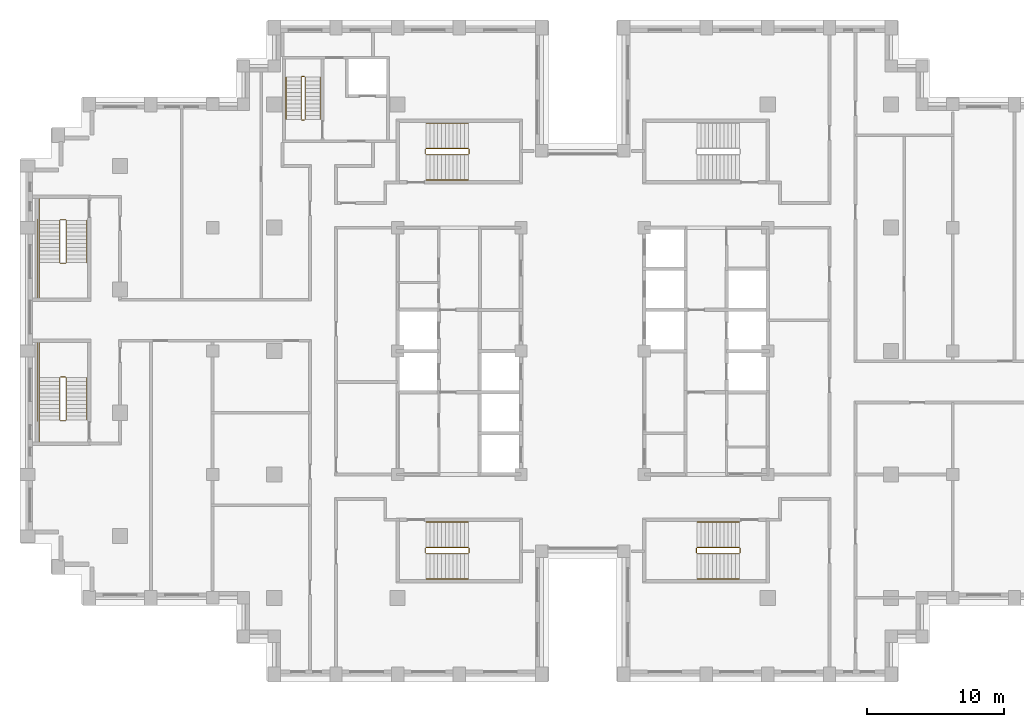
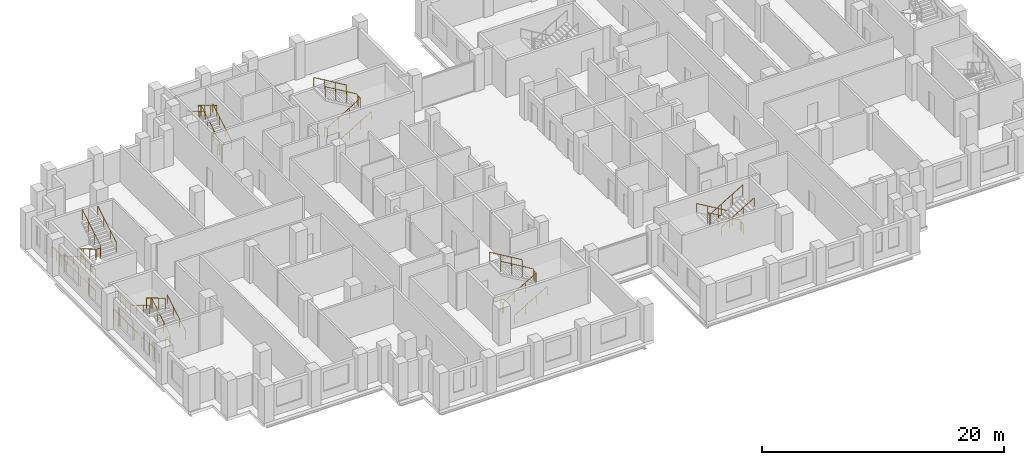
# One storey, part 15 of 16: 6 railings.
"""IFC4 building model written with IfcOpenShell, lengths in metres."""

from ifc_helpers import new_model, si_unit, direction, frame, origin, origin_2d, place, context, subcontext, project, spatial, circle, extrude, material, type_object, element, save


model = new_model("IFC4")

# Units and contexts
model_context = context("Model", 3, precision=1e-05, world=origin(), true_north=direction((0.0, 1.0)))
body_context = subcontext(model_context, "Body", "Model", "MODEL_VIEW")
ifc_project = project(units=[si_unit("LENGTHUNIT", "METRE"), si_unit("AREAUNIT", "SQUARE_METRE"), si_unit("VOLUMEUNIT", "CUBIC_METRE"), si_unit("PLANEANGLEUNIT", "RADIAN"), si_unit("MASSUNIT", "GRAM", prefix="KILO")], contexts=[model_context])

# Site, building, storey
site_placement = place(None, origin())
site = spatial("IfcSite", under=ifc_project, at=site_placement, CompositionType="ELEMENT")
building_placement = place(site_placement, origin())
building = spatial("IfcBuilding", under=site, at=building_placement, Name="Corbelhall Arena Tower", CompositionType="ELEMENT")
storey_placement = place(building_placement, frame((0.0, 0.0, 154.0)))
storey = spatial("IfcBuildingStorey", under=building, at=storey_placement, Name="L30", CompositionType="ELEMENT", Elevation=154.0)

# Railings
ifc_material = material(Name="Steel ASTM A500 Gr C", Category="steel")
railing_type = type_object("IfcRailingType", Name="IN-GD-1100", PredefinedType="GUARDRAIL", material=ifc_material)
railing_1_placement = place(storey_placement, frame((-11.425048828125, 14.324951171875, 0.166748046875)))
element("IfcRailing", 1, at=railing_1_placement, inside=storey, type_object=railing_type, Name="L30 ST1 stair guards and handrails", PredefinedType="GUARDRAIL", context=body_context, shape_type="SweptSolid", body=[
    extrude(circle(Radius=0.02392578125, at=origin_2d()), frame((0.0, 0.0, 1.076171875), z_axis=(0.859308565015, 0.0, 0.511457515432), x_axis=(0.0, 1.0, 0.0)), (0.0, 0.0, 1.0), 3.58447265625),
    extrude(circle(Radius=0.02392578125, at=origin_2d()), frame((3.130126953125, 0.050048828125, 2.9091796875), z_axis=(0.0, 1.0, 0.0), x_axis=(-1.0, 0.0, 0.0)), (0.0, 0.0, 1.0), 0.35009765625),
    extrude(circle(Radius=0.02392578125, at=origin_2d()), frame((3.080078125, 0.449951171875, 3.076171875), z_axis=(-0.859308565015, 0.0, 0.511457515432), x_axis=(0.0, -1.0, 0.0)), (0.0, 0.0, 1.0), 3.58447265625),
    extrude(circle(Radius=0.02392578125, at=origin_2d()), frame((-0.050048828125, 0.050048828125, 0.9091796875), z_axis=(0.0, 1.0, 0.0), x_axis=(-1.0, 0.0, 0.0)), (0.0, 0.0, 1.0), 0.35009765625),
    extrude(circle(Radius=0.02392578125, at=origin_2d()), frame((0.0, -1.849853515625, 0.8759765625), z_axis=(0.859308565015, 0.0, 0.511457515432), x_axis=(0.0, 1.0, 0.0)), (0.0, 0.0, 1.0), 3.58447265625),
    extrude(circle(Radius=0.02392578125, at=origin_2d()), frame((3.080078125, 2.300048828125, 2.8759765625), z_axis=(-0.859308565015, 0.0, 0.511457515432), x_axis=(0.0, -1.0, 0.0)), (0.0, 0.0, 1.0), 3.58447265625),
    extrude(circle(Radius=0.02099609375, at=origin_2d()), origin(), (0.0, 0.0, 1.0), 1.052001953125),
    extrude(circle(Radius=0.02099609375, at=origin_2d()), frame((1.026611328125, 0.0, 0.611083984375)), (0.0, 0.0, 1.0), 1.052001953125),
    extrude(circle(Radius=0.02099609375, at=origin_2d()), frame((2.053466796875, 0.0, 1.22216796875)), (0.0, 0.0, 1.0), 1.052001953125),
    extrude(circle(Radius=0.02099609375, at=origin_2d()), frame((3.080078125, 0.0, 1.833251953125)), (0.0, 0.0, 1.0), 1.052001953125),
    extrude(circle(Radius=0.02099609375, at=origin_2d()), frame((3.130126953125, 0.050048828125, 1.833251953125)), (0.0, 0.0, 1.0), 1.052001953125),
    extrude(circle(Radius=0.02099609375, at=origin_2d()), frame((3.130126953125, 0.400146484375, 1.833251953125)), (0.0, 0.0, 1.0), 1.052001953125),
    extrude(circle(Radius=0.02099609375, at=origin_2d()), frame((3.080078125, 0.449951171875, 2.0)), (0.0, 0.0, 1.0), 1.052001953125),
    extrude(circle(Radius=0.02099609375, at=origin_2d()), frame((2.053466796875, 0.449951171875, 2.611083984375)), (0.0, 0.0, 1.0), 1.052001953125),
    extrude(circle(Radius=0.02099609375, at=origin_2d()), frame((1.026611328125, 0.449951171875, 3.22216796875)), (0.0, 0.0, 1.0), 1.052001953125),
    extrude(circle(Radius=0.02099609375, at=origin_2d()), frame((0.0, 0.449951171875, 3.833251953125)), (0.0, 0.0, 1.0), 1.052001953125),
    extrude(circle(Radius=0.02099609375, at=origin_2d()), frame((-0.050048828125, 0.050048828125, -0.166748046875)), (0.0, 0.0, 1.0), 1.052001953125),
    extrude(circle(Radius=0.02099609375, at=origin_2d()), frame((-0.050048828125, 0.400146484375, -0.166748046875)), (0.0, 0.0, 1.0), 1.052001953125),
    extrude(circle(Radius=0.02099609375, at=origin_2d()), frame((0.0, -1.849853515625, 0.0)), (0.0, 0.0, 1.0), 0.851806640625),
    extrude(circle(Radius=0.02099609375, at=origin_2d()), frame((1.026611328125, -1.849853515625, 0.611083984375)), (0.0, 0.0, 1.0), 0.851806640625),
    extrude(circle(Radius=0.02099609375, at=origin_2d()), frame((2.053466796875, -1.849853515625, 1.22216796875)), (0.0, 0.0, 1.0), 0.851806640625),
    extrude(circle(Radius=0.02099609375, at=origin_2d()), frame((3.080078125, -1.849853515625, 1.833251953125)), (0.0, 0.0, 1.0), 0.851806640625),
    extrude(circle(Radius=0.02099609375, at=origin_2d()), frame((3.080078125, 2.300048828125, 2.0)), (0.0, 0.0, 1.0), 0.851806640625),
    extrude(circle(Radius=0.02099609375, at=origin_2d()), frame((2.053466796875, 2.300048828125, 2.611083984375)), (0.0, 0.0, 1.0), 0.851806640625),
    extrude(circle(Radius=0.02099609375, at=origin_2d()), frame((1.026611328125, 2.300048828125, 3.22216796875)), (0.0, 0.0, 1.0), 0.851806640625),
    extrude(circle(Radius=0.02099609375, at=origin_2d()), frame((0.0, 2.300048828125, 3.833251953125)), (0.0, 0.0, 1.0), 0.851806640625),
])
railing_2_placement = place(storey_placement, frame((-11.425048828125, -14.77490234375, 0.166748046875)))
element("IfcRailing", 2, at=railing_2_placement, inside=storey, type_object=railing_type, Name="L30 ST2 stair guards and handrails", PredefinedType="GUARDRAIL", context=body_context, shape_type="SweptSolid", body=[
    extrude(circle(Radius=0.02392578125, at=origin_2d()), frame((0.0, 0.0, 1.076171875), z_axis=(0.859308565015, 0.0, 0.511457515432), x_axis=(0.0, 1.0, 0.0)), (0.0, 0.0, 1.0), 3.58447265625),
    extrude(circle(Radius=0.02392578125, at=origin_2d()), frame((3.130126953125, 0.0498046875, 2.9091796875), z_axis=(0.0, 1.0, 0.0), x_axis=(-1.0, 0.0, 0.0)), (0.0, 0.0, 1.0), 0.35009765625),
    extrude(circle(Radius=0.02392578125, at=origin_2d()), frame((3.080078125, 0.449951171875, 3.076171875), z_axis=(-0.859308565015, 0.0, 0.511457515432), x_axis=(0.0, -1.0, 0.0)), (0.0, 0.0, 1.0), 3.58447265625),
    extrude(circle(Radius=0.02392578125, at=origin_2d()), frame((-0.050048828125, 0.0498046875, 0.9091796875), z_axis=(0.0, 1.0, 0.0), x_axis=(-1.0, 0.0, 0.0)), (0.0, 0.0, 1.0), 0.35009765625),
    extrude(circle(Radius=0.02392578125, at=origin_2d()), frame((0.0, -1.85009765625, 0.8759765625), z_axis=(0.859308565015, 0.0, 0.511457515432), x_axis=(0.0, 1.0, 0.0)), (0.0, 0.0, 1.0), 3.58447265625),
    extrude(circle(Radius=0.02392578125, at=origin_2d()), frame((3.080078125, 2.2998046875, 2.8759765625), z_axis=(-0.859308565015, 0.0, 0.511457515432), x_axis=(0.0, -1.0, 0.0)), (0.0, 0.0, 1.0), 3.58447265625),
    extrude(circle(Radius=0.02099609375, at=origin_2d()), origin(), (0.0, 0.0, 1.0), 1.052001953125),
    extrude(circle(Radius=0.02099609375, at=origin_2d()), frame((1.026611328125, 0.0, 0.611083984375)), (0.0, 0.0, 1.0), 1.052001953125),
    extrude(circle(Radius=0.02099609375, at=origin_2d()), frame((2.053466796875, 0.0, 1.22216796875)), (0.0, 0.0, 1.0), 1.052001953125),
    extrude(circle(Radius=0.02099609375, at=origin_2d()), frame((3.080078125, 0.0, 1.833251953125)), (0.0, 0.0, 1.0), 1.052001953125),
    extrude(circle(Radius=0.02099609375, at=origin_2d()), frame((3.130126953125, 0.0498046875, 1.833251953125)), (0.0, 0.0, 1.0), 1.052001953125),
    extrude(circle(Radius=0.02099609375, at=origin_2d()), frame((3.130126953125, 0.39990234375, 1.833251953125)), (0.0, 0.0, 1.0), 1.052001953125),
    extrude(circle(Radius=0.02099609375, at=origin_2d()), frame((3.080078125, 0.449951171875, 2.0)), (0.0, 0.0, 1.0), 1.052001953125),
    extrude(circle(Radius=0.02099609375, at=origin_2d()), frame((2.053466796875, 0.449951171875, 2.611083984375)), (0.0, 0.0, 1.0), 1.052001953125),
    extrude(circle(Radius=0.02099609375, at=origin_2d()), frame((1.026611328125, 0.449951171875, 3.22216796875)), (0.0, 0.0, 1.0), 1.052001953125),
    extrude(circle(Radius=0.02099609375, at=origin_2d()), frame((0.0, 0.449951171875, 3.833251953125)), (0.0, 0.0, 1.0), 1.052001953125),
    extrude(circle(Radius=0.02099609375, at=origin_2d()), frame((-0.050048828125, 0.0498046875, -0.166748046875)), (0.0, 0.0, 1.0), 1.052001953125),
    extrude(circle(Radius=0.02099609375, at=origin_2d()), frame((-0.050048828125, 0.39990234375, -0.166748046875)), (0.0, 0.0, 1.0), 1.052001953125),
    extrude(circle(Radius=0.02099609375, at=origin_2d()), frame((0.0, -1.85009765625, 0.0)), (0.0, 0.0, 1.0), 0.851806640625),
    extrude(circle(Radius=0.02099609375, at=origin_2d()), frame((1.026611328125, -1.85009765625, 0.611083984375)), (0.0, 0.0, 1.0), 0.851806640625),
    extrude(circle(Radius=0.02099609375, at=origin_2d()), frame((2.053466796875, -1.85009765625, 1.22216796875)), (0.0, 0.0, 1.0), 0.851806640625),
    extrude(circle(Radius=0.02099609375, at=origin_2d()), frame((3.080078125, -1.85009765625, 1.833251953125)), (0.0, 0.0, 1.0), 0.851806640625),
    extrude(circle(Radius=0.02099609375, at=origin_2d()), frame((3.080078125, 2.2998046875, 2.0)), (0.0, 0.0, 1.0), 0.851806640625),
    extrude(circle(Radius=0.02099609375, at=origin_2d()), frame((2.053466796875, 2.2998046875, 2.611083984375)), (0.0, 0.0, 1.0), 0.851806640625),
    extrude(circle(Radius=0.02099609375, at=origin_2d()), frame((1.026611328125, 2.2998046875, 3.22216796875)), (0.0, 0.0, 1.0), 0.851806640625),
    extrude(circle(Radius=0.02099609375, at=origin_2d()), frame((0.0, 2.2998046875, 3.833251953125)), (0.0, 0.0, 1.0), 0.851806640625),
])
railing_3_placement = place(storey_placement, frame((11.425048828125, -14.324951171875, 0.166748046875)))
element("IfcRailing", 3, at=railing_3_placement, inside=storey, type_object=railing_type, Name="L30 ST4 stair guards and handrails", PredefinedType="GUARDRAIL", context=body_context, shape_type="SweptSolid", body=[
    extrude(circle(Radius=0.02392578125, at=origin_2d()), frame((0.0, 0.0, 1.076171875), z_axis=(-0.859308565015, 0.0, 0.511457515432), x_axis=(0.0, -1.0, 0.0)), (0.0, 0.0, 1.0), 3.58447265625),
    extrude(circle(Radius=0.02392578125, at=origin_2d()), frame((-3.130126953125, -0.050048828125, 2.9091796875), z_axis=(0.0, -1.0, 0.0), x_axis=(1.0, 0.0, 0.0)), (0.0, 0.0, 1.0), 0.35009765625),
    extrude(circle(Radius=0.02392578125, at=origin_2d()), frame((-3.080078125, -0.449951171875, 3.076171875), z_axis=(0.859308565015, 0.0, 0.511457515432), x_axis=(0.0, 1.0, 0.0)), (0.0, 0.0, 1.0), 3.58447265625),
    extrude(circle(Radius=0.02392578125, at=origin_2d()), frame((0.050048828125, -0.050048828125, 0.9091796875), z_axis=(0.0, -1.0, 0.0), x_axis=(1.0, 0.0, 0.0)), (0.0, 0.0, 1.0), 0.35009765625),
    extrude(circle(Radius=0.02392578125, at=origin_2d()), frame((0.0, 1.849853515625, 0.8759765625), z_axis=(-0.859308565015, 0.0, 0.511457515432), x_axis=(0.0, -1.0, 0.0)), (0.0, 0.0, 1.0), 3.58447265625),
    extrude(circle(Radius=0.02392578125, at=origin_2d()), frame((-3.080078125, -2.300048828125, 2.8759765625), z_axis=(0.859308565015, 0.0, 0.511457515432), x_axis=(0.0, 1.0, 0.0)), (0.0, 0.0, 1.0), 3.58447265625),
    extrude(circle(Radius=0.02099609375, at=origin_2d()), origin(), (0.0, 0.0, 1.0), 1.052001953125),
    extrude(circle(Radius=0.02099609375, at=origin_2d()), frame((-1.026611328125, 0.0, 0.611083984375)), (0.0, 0.0, 1.0), 1.052001953125),
    extrude(circle(Radius=0.02099609375, at=origin_2d()), frame((-2.053466796875, 0.0, 1.22216796875)), (0.0, 0.0, 1.0), 1.052001953125),
    extrude(circle(Radius=0.02099609375, at=origin_2d()), frame((-3.080078125, 0.0, 1.833251953125)), (0.0, 0.0, 1.0), 1.052001953125),
    extrude(circle(Radius=0.02099609375, at=origin_2d()), frame((-3.130126953125, -0.050048828125, 1.833251953125)), (0.0, 0.0, 1.0), 1.052001953125),
    extrude(circle(Radius=0.02099609375, at=origin_2d()), frame((-3.130126953125, -0.400146484375, 1.833251953125)), (0.0, 0.0, 1.0), 1.052001953125),
    extrude(circle(Radius=0.02099609375, at=origin_2d()), frame((-3.080078125, -0.449951171875, 2.0)), (0.0, 0.0, 1.0), 1.052001953125),
    extrude(circle(Radius=0.02099609375, at=origin_2d()), frame((-2.053466796875, -0.449951171875, 2.611083984375)), (0.0, 0.0, 1.0), 1.052001953125),
    extrude(circle(Radius=0.02099609375, at=origin_2d()), frame((-1.026611328125, -0.449951171875, 3.22216796875)), (0.0, 0.0, 1.0), 1.052001953125),
    extrude(circle(Radius=0.02099609375, at=origin_2d()), frame((0.0, -0.449951171875, 3.833251953125)), (0.0, 0.0, 1.0), 1.052001953125),
    extrude(circle(Radius=0.02099609375, at=origin_2d()), frame((0.050048828125, -0.050048828125, -0.166748046875)), (0.0, 0.0, 1.0), 1.052001953125),
    extrude(circle(Radius=0.02099609375, at=origin_2d()), frame((0.050048828125, -0.400146484375, -0.166748046875)), (0.0, 0.0, 1.0), 1.052001953125),
    extrude(circle(Radius=0.02099609375, at=origin_2d()), frame((0.0, 1.849853515625, 0.0)), (0.0, 0.0, 1.0), 0.851806640625),
    extrude(circle(Radius=0.02099609375, at=origin_2d()), frame((-1.026611328125, 1.849853515625, 0.611083984375)), (0.0, 0.0, 1.0), 0.851806640625),
    extrude(circle(Radius=0.02099609375, at=origin_2d()), frame((-2.053466796875, 1.849853515625, 1.22216796875)), (0.0, 0.0, 1.0), 0.851806640625),
    extrude(circle(Radius=0.02099609375, at=origin_2d()), frame((-3.080078125, 1.849853515625, 1.833251953125)), (0.0, 0.0, 1.0), 0.851806640625),
    extrude(circle(Radius=0.02099609375, at=origin_2d()), frame((-3.080078125, -2.300048828125, 2.0)), (0.0, 0.0, 1.0), 0.851806640625),
    extrude(circle(Radius=0.02099609375, at=origin_2d()), frame((-2.053466796875, -2.300048828125, 2.611083984375)), (0.0, 0.0, 1.0), 0.851806640625),
    extrude(circle(Radius=0.02099609375, at=origin_2d()), frame((-1.026611328125, -2.300048828125, 3.22216796875)), (0.0, 0.0, 1.0), 0.851806640625),
    extrude(circle(Radius=0.02099609375, at=origin_2d()), frame((0.0, -2.300048828125, 3.833251953125)), (0.0, 0.0, 1.0), 0.851806640625),
])
railing_4_placement = place(storey_placement, frame((-38.14990234375, 9.52490234375, 0.166748046875)))
element("IfcRailing", 4, at=railing_4_placement, inside=storey, type_object=railing_type, Name="L30 SC1 stair guards and handrails", PredefinedType="GUARDRAIL", context=body_context, shape_type="SweptSolid", body=[
    extrude(circle(Radius=0.02392578125, at=origin_2d()), frame((0.0, 0.0, 1.076171875), z_axis=(0.0, -0.859290745958, 0.51148745235), x_axis=(1.0, 0.0, 0.0)), (0.0, 0.0, 1.0), 3.584228515625),
    extrude(circle(Radius=0.02392578125, at=origin_2d()), frame((0.0498046875, -3.1298828125, 2.9091796875), z_axis=(1.0, 0.0, 0.0), x_axis=(0.0, 1.0, 0.0)), (0.0, 0.0, 1.0), 0.375),
    extrude(circle(Radius=0.02392578125, at=origin_2d()), frame((-1.5, -3.079833984375, 2.9091796875), z_axis=(0.0, -1.0, 0.0), x_axis=(1.0, 0.0, 0.0)), (0.0, 0.0, 1.0), 2.570068359375),
    extrude(circle(Radius=0.02392578125, at=origin_2d()), frame((0.474853515625, -3.079833984375, 3.076171875), z_axis=(0.0, 0.859290745958, 0.51148745235), x_axis=(-1.0, 0.0, 0.0)), (0.0, 0.0, 1.0), 3.584228515625),
    extrude(circle(Radius=0.02392578125, at=origin_2d()), frame((0.0498046875, 0.050048828125, 0.9091796875), z_axis=(1.0, 0.0, 0.0), x_axis=(0.0, 1.0, 0.0)), (0.0, 0.0, 1.0), 0.375),
    extrude(circle(Radius=0.02392578125, at=origin_2d()), frame((-1.5, 1.60009765625, 0.9091796875), z_axis=(0.0, -1.0, 0.0), x_axis=(1.0, 0.0, 0.0)), (0.0, 0.0, 1.0), 1.60009765625),
    extrude(circle(Radius=0.02392578125, at=origin_2d()), frame((-1.60009765625, 0.10009765625, 0.9091796875), z_axis=(0.0, -1.0, 0.0), x_axis=(1.0, 0.0, 0.0)), (0.0, 0.0, 1.0), 5.85009765625),
    extrude(circle(Radius=0.02392578125, at=origin_2d()), frame((-1.5, 0.0, 0.8759765625), z_axis=(0.0, -0.859290745958, 0.51148745235), x_axis=(1.0, 0.0, 0.0)), (0.0, 0.0, 1.0), 3.584228515625),
    extrude(circle(Radius=0.02392578125, at=origin_2d()), frame((1.974853515625, -3.079833984375, 2.8759765625), z_axis=(0.0, 0.859290745958, 0.51148745235), x_axis=(-1.0, 0.0, 0.0)), (0.0, 0.0, 1.0), 3.584228515625),
    extrude(circle(Radius=0.02099609375, at=origin_2d()), origin(), (0.0, 0.0, 1.0), 1.052001953125),
    extrude(circle(Radius=0.02099609375, at=origin_2d()), frame((0.0, -1.026611328125, 0.611083984375)), (0.0, 0.0, 1.0), 1.052001953125),
    extrude(circle(Radius=0.02099609375, at=origin_2d()), frame((0.0, -2.05322265625, 1.22216796875)), (0.0, 0.0, 1.0), 1.052001953125),
    extrude(circle(Radius=0.02099609375, at=origin_2d()), frame((0.0, -3.079833984375, 1.833251953125)), (0.0, 0.0, 1.0), 1.052001953125),
    extrude(circle(Radius=0.02099609375, at=origin_2d()), frame((0.0498046875, -3.1298828125, 1.833251953125)), (0.0, 0.0, 1.0), 1.052001953125),
    extrude(circle(Radius=0.02099609375, at=origin_2d()), frame((0.4248046875, -3.1298828125, 1.833251953125)), (0.0, 0.0, 1.0), 1.052001953125),
    extrude(circle(Radius=0.02099609375, at=origin_2d()), frame((-1.5, -3.079833984375, 1.833251953125)), (0.0, 0.0, 1.0), 1.052001953125),
    extrude(circle(Radius=0.02099609375, at=origin_2d()), frame((-1.5, -3.9365234375, 1.833251953125)), (0.0, 0.0, 1.0), 1.052001953125),
    extrude(circle(Radius=0.02099609375, at=origin_2d()), frame((-1.5, -4.793212890625, 1.833251953125)), (0.0, 0.0, 1.0), 1.052001953125),
    extrude(circle(Radius=0.02099609375, at=origin_2d()), frame((-1.5, -5.64990234375, 1.833251953125)), (0.0, 0.0, 1.0), 1.052001953125),
    extrude(circle(Radius=0.02099609375, at=origin_2d()), frame((0.474853515625, -3.079833984375, 2.0)), (0.0, 0.0, 1.0), 1.052001953125),
    extrude(circle(Radius=0.02099609375, at=origin_2d()), frame((0.474853515625, -2.05322265625, 2.611083984375)), (0.0, 0.0, 1.0), 1.052001953125),
    extrude(circle(Radius=0.02099609375, at=origin_2d()), frame((0.474853515625, -1.026611328125, 3.22216796875)), (0.0, 0.0, 1.0), 1.052001953125),
    extrude(circle(Radius=0.02099609375, at=origin_2d()), frame((0.474853515625, 0.0, 3.833251953125)), (0.0, 0.0, 1.0), 1.052001953125),
    extrude(circle(Radius=0.02099609375, at=origin_2d()), frame((0.0498046875, 0.050048828125, -0.166748046875)), (0.0, 0.0, 1.0), 1.052001953125),
    extrude(circle(Radius=0.02099609375, at=origin_2d()), frame((0.4248046875, 0.050048828125, -0.166748046875)), (0.0, 0.0, 1.0), 1.052001953125),
    extrude(circle(Radius=0.02099609375, at=origin_2d()), frame((-1.5, 1.60009765625, -0.166748046875)), (0.0, 0.0, 1.0), 1.052001953125),
    extrude(circle(Radius=0.02099609375, at=origin_2d()), frame((-1.5, 0.800048828125, -0.166748046875)), (0.0, 0.0, 1.0), 1.052001953125),
    extrude(circle(Radius=0.02099609375, at=origin_2d()), frame((-1.5, 0.0, -0.166748046875)), (0.0, 0.0, 1.0), 1.052001953125),
    extrude(circle(Radius=0.02099609375, at=origin_2d()), frame((-1.60009765625, 0.10009765625, -0.166748046875)), (0.0, 0.0, 1.0), 1.052001953125),
    extrude(circle(Radius=0.02099609375, at=origin_2d()), frame((-1.60009765625, -1.06982421875, -0.166748046875)), (0.0, 0.0, 1.0), 1.052001953125),
    extrude(circle(Radius=0.02099609375, at=origin_2d()), frame((-1.60009765625, -2.239990234375, -0.166748046875)), (0.0, 0.0, 1.0), 1.052001953125),
    extrude(circle(Radius=0.02099609375, at=origin_2d()), frame((-1.60009765625, -3.409912109375, -0.166748046875)), (0.0, 0.0, 1.0), 1.052001953125),
    extrude(circle(Radius=0.02099609375, at=origin_2d()), frame((-1.60009765625, -4.580078125, -0.166748046875)), (0.0, 0.0, 1.0), 1.052001953125),
    extrude(circle(Radius=0.02099609375, at=origin_2d()), frame((-1.60009765625, -5.75, -0.166748046875)), (0.0, 0.0, 1.0), 1.052001953125),
    extrude(circle(Radius=0.02099609375, at=origin_2d()), frame((-1.5, 0.0, 0.0)), (0.0, 0.0, 1.0), 0.851806640625),
    extrude(circle(Radius=0.02099609375, at=origin_2d()), frame((-1.5, -1.026611328125, 0.611083984375)), (0.0, 0.0, 1.0), 0.851806640625),
    extrude(circle(Radius=0.02099609375, at=origin_2d()), frame((-1.5, -2.05322265625, 1.22216796875)), (0.0, 0.0, 1.0), 0.851806640625),
    extrude(circle(Radius=0.02099609375, at=origin_2d()), frame((1.974853515625, -3.079833984375, 2.0)), (0.0, 0.0, 1.0), 0.851806640625),
    extrude(circle(Radius=0.02099609375, at=origin_2d()), frame((1.974853515625, -2.05322265625, 2.611083984375)), (0.0, 0.0, 1.0), 0.851806640625),
    extrude(circle(Radius=0.02099609375, at=origin_2d()), frame((1.974853515625, -1.026611328125, 3.22216796875)), (0.0, 0.0, 1.0), 0.851806640625),
    extrude(circle(Radius=0.02099609375, at=origin_2d()), frame((1.974853515625, 0.0, 3.833251953125)), (0.0, 0.0, 1.0), 0.851806640625),
])
railing_5_placement = place(storey_placement, frame((-37.675048828125, -5.02490234375, 0.166748046875)))
element("IfcRailing", 5, at=railing_5_placement, inside=storey, type_object=railing_type, Name="L30 SC2 stair guards and handrails", PredefinedType="GUARDRAIL", context=body_context, shape_type="SweptSolid", body=[
    extrude(circle(Radius=0.02392578125, at=origin_2d()), frame((0.0, 0.0, 1.076171875), z_axis=(0.0, 0.859290745958, 0.51148745235), x_axis=(-1.0, 0.0, 0.0)), (0.0, 0.0, 1.0), 3.584228515625),
    extrude(circle(Radius=0.02392578125, at=origin_2d()), frame((-0.050048828125, 3.1298828125, 2.9091796875), z_axis=(-1.0, 0.0, 0.0), x_axis=(0.0, -1.0, 0.0)), (0.0, 0.0, 1.0), 0.375),
    extrude(circle(Radius=0.02392578125, at=origin_2d()), frame((-1.974853515625, 3.079833984375, 2.9091796875), z_axis=(0.0, 1.0, 0.0), x_axis=(-1.0, 0.0, 0.0)), (0.0, 0.0, 1.0), 2.570068359375),
    extrude(circle(Radius=0.02392578125, at=origin_2d()), frame((-0.474853515625, 3.079833984375, 3.076171875), z_axis=(0.0, -0.859290745958, 0.51148745235), x_axis=(1.0, 0.0, 0.0)), (0.0, 0.0, 1.0), 3.584228515625),
    extrude(circle(Radius=0.02392578125, at=origin_2d()), frame((-0.050048828125, -0.050048828125, 0.9091796875), z_axis=(-1.0, 0.0, 0.0), x_axis=(0.0, -1.0, 0.0)), (0.0, 0.0, 1.0), 0.375),
    extrude(circle(Radius=0.02392578125, at=origin_2d()), frame((-1.974853515625, -1.60009765625, 0.9091796875), z_axis=(0.0, 1.0, 0.0), x_axis=(-1.0, 0.0, 0.0)), (0.0, 0.0, 1.0), 1.60009765625),
    extrude(circle(Radius=0.02392578125, at=origin_2d()), frame((-2.074951171875, -0.10009765625, 0.9091796875), z_axis=(0.0, 1.0, 0.0), x_axis=(-1.0, 0.0, 0.0)), (0.0, 0.0, 1.0), 5.85009765625),
    extrude(circle(Radius=0.02392578125, at=origin_2d()), frame((1.5, 0.0, 0.8759765625), z_axis=(0.0, 0.859290745958, 0.51148745235), x_axis=(-1.0, 0.0, 0.0)), (0.0, 0.0, 1.0), 3.584228515625),
    extrude(circle(Radius=0.02392578125, at=origin_2d()), frame((-1.974853515625, 3.079833984375, 2.8759765625), z_axis=(0.0, -0.859290745958, 0.51148745235), x_axis=(1.0, 0.0, 0.0)), (0.0, 0.0, 1.0), 3.584228515625),
    extrude(circle(Radius=0.02099609375, at=origin_2d()), origin(), (0.0, 0.0, 1.0), 1.052001953125),
    extrude(circle(Radius=0.02099609375, at=origin_2d()), frame((0.0, 1.026611328125, 0.611083984375)), (0.0, 0.0, 1.0), 1.052001953125),
    extrude(circle(Radius=0.02099609375, at=origin_2d()), frame((0.0, 2.05322265625, 1.22216796875)), (0.0, 0.0, 1.0), 1.052001953125),
    extrude(circle(Radius=0.02099609375, at=origin_2d()), frame((0.0, 3.079833984375, 1.833251953125)), (0.0, 0.0, 1.0), 1.052001953125),
    extrude(circle(Radius=0.02099609375, at=origin_2d()), frame((-0.050048828125, 3.1298828125, 1.833251953125)), (0.0, 0.0, 1.0), 1.052001953125),
    extrude(circle(Radius=0.02099609375, at=origin_2d()), frame((-0.425048828125, 3.1298828125, 1.833251953125)), (0.0, 0.0, 1.0), 1.052001953125),
    extrude(circle(Radius=0.02099609375, at=origin_2d()), frame((-1.974853515625, 3.079833984375, 1.833251953125)), (0.0, 0.0, 1.0), 1.052001953125),
    extrude(circle(Radius=0.02099609375, at=origin_2d()), frame((-1.974853515625, 3.9365234375, 1.833251953125)), (0.0, 0.0, 1.0), 1.052001953125),
    extrude(circle(Radius=0.02099609375, at=origin_2d()), frame((-1.974853515625, 4.793212890625, 1.833251953125)), (0.0, 0.0, 1.0), 1.052001953125),
    extrude(circle(Radius=0.02099609375, at=origin_2d()), frame((-1.974853515625, 5.64990234375, 1.833251953125)), (0.0, 0.0, 1.0), 1.052001953125),
    extrude(circle(Radius=0.02099609375, at=origin_2d()), frame((-0.474853515625, 3.079833984375, 2.0)), (0.0, 0.0, 1.0), 1.052001953125),
    extrude(circle(Radius=0.02099609375, at=origin_2d()), frame((-0.474853515625, 2.05322265625, 2.611083984375)), (0.0, 0.0, 1.0), 1.052001953125),
    extrude(circle(Radius=0.02099609375, at=origin_2d()), frame((-0.474853515625, 1.026611328125, 3.22216796875)), (0.0, 0.0, 1.0), 1.052001953125),
    extrude(circle(Radius=0.02099609375, at=origin_2d()), frame((-0.474853515625, 0.0, 3.833251953125)), (0.0, 0.0, 1.0), 1.052001953125),
    extrude(circle(Radius=0.02099609375, at=origin_2d()), frame((-0.050048828125, -0.050048828125, -0.166748046875)), (0.0, 0.0, 1.0), 1.052001953125),
    extrude(circle(Radius=0.02099609375, at=origin_2d()), frame((-0.425048828125, -0.050048828125, -0.166748046875)), (0.0, 0.0, 1.0), 1.052001953125),
    extrude(circle(Radius=0.02099609375, at=origin_2d()), frame((-1.974853515625, -1.60009765625, -0.166748046875)), (0.0, 0.0, 1.0), 1.052001953125),
    extrude(circle(Radius=0.02099609375, at=origin_2d()), frame((-1.974853515625, -0.800048828125, -0.166748046875)), (0.0, 0.0, 1.0), 1.052001953125),
    extrude(circle(Radius=0.02099609375, at=origin_2d()), frame((-1.974853515625, 0.0, -0.166748046875)), (0.0, 0.0, 1.0), 1.052001953125),
    extrude(circle(Radius=0.02099609375, at=origin_2d()), frame((-2.074951171875, -0.10009765625, -0.166748046875)), (0.0, 0.0, 1.0), 1.052001953125),
    extrude(circle(Radius=0.02099609375, at=origin_2d()), frame((-2.074951171875, 1.06982421875, -0.166748046875)), (0.0, 0.0, 1.0), 1.052001953125),
    extrude(circle(Radius=0.02099609375, at=origin_2d()), frame((-2.074951171875, 2.239990234375, -0.166748046875)), (0.0, 0.0, 1.0), 1.052001953125),
    extrude(circle(Radius=0.02099609375, at=origin_2d()), frame((-2.074951171875, 3.409912109375, -0.166748046875)), (0.0, 0.0, 1.0), 1.052001953125),
    extrude(circle(Radius=0.02099609375, at=origin_2d()), frame((-2.074951171875, 4.580078125, -0.166748046875)), (0.0, 0.0, 1.0), 1.052001953125),
    extrude(circle(Radius=0.02099609375, at=origin_2d()), frame((-2.074951171875, 5.75, -0.166748046875)), (0.0, 0.0, 1.0), 1.052001953125),
    extrude(circle(Radius=0.02099609375, at=origin_2d()), frame((1.5, 0.0, 0.0)), (0.0, 0.0, 1.0), 0.851806640625),
    extrude(circle(Radius=0.02099609375, at=origin_2d()), frame((1.5, 1.026611328125, 0.611083984375)), (0.0, 0.0, 1.0), 0.851806640625),
    extrude(circle(Radius=0.02099609375, at=origin_2d()), frame((1.5, 2.05322265625, 1.22216796875)), (0.0, 0.0, 1.0), 0.851806640625),
    extrude(circle(Radius=0.02099609375, at=origin_2d()), frame((1.5, 3.079833984375, 1.833251953125)), (0.0, 0.0, 1.0), 0.851806640625),
    extrude(circle(Radius=0.02099609375, at=origin_2d()), frame((-1.974853515625, 3.079833984375, 2.0)), (0.0, 0.0, 1.0), 0.851806640625),
    extrude(circle(Radius=0.02099609375, at=origin_2d()), frame((-1.974853515625, 2.05322265625, 2.611083984375)), (0.0, 0.0, 1.0), 0.851806640625),
    extrude(circle(Radius=0.02099609375, at=origin_2d()), frame((-1.974853515625, 1.026611328125, 3.22216796875)), (0.0, 0.0, 1.0), 0.851806640625),
    extrude(circle(Radius=0.02099609375, at=origin_2d()), frame((-1.974853515625, 0.0, 3.833251953125)), (0.0, 0.0, 1.0), 0.851806640625),
])
railing_6_placement = place(storey_placement, frame((-20.2451171875, 16.89990234375, 0.166748046875)))
element("IfcRailing", 6, at=railing_6_placement, inside=storey, type_object=railing_type, Name="L30 ST5 stair guards and handrails", PredefinedType="GUARDRAIL", context=body_context, shape_type="SweptSolid", body=[
    extrude(circle(Radius=0.02392578125, at=origin_2d()), frame((0.0, 0.0, 1.076171875), z_axis=(0.0, 0.859308565015, 0.511457515432), x_axis=(-1.0, 0.0, 0.0)), (0.0, 0.0, 1.0), 3.58447265625),
    extrude(circle(Radius=0.02392578125, at=origin_2d()), frame((-0.0498046875, 3.130126953125, 2.9091796875), z_axis=(-1.0, 0.0, 0.0), x_axis=(0.0, -1.0, 0.0)), (0.0, 0.0, 1.0), 0.2001953125),
    extrude(circle(Radius=0.02392578125, at=origin_2d()), frame((-0.2998046875, 3.080078125, 3.076171875), z_axis=(0.0, -0.859308565015, 0.511457515432), x_axis=(1.0, 0.0, 0.0)), (0.0, 0.0, 1.0), 3.58447265625),
    extrude(circle(Radius=0.02392578125, at=origin_2d()), frame((-0.0498046875, -0.0498046875, 0.9091796875), z_axis=(-1.0, 0.0, 0.0), x_axis=(0.0, -1.0, 0.0)), (0.0, 0.0, 1.0), 0.2001953125),
    extrude(circle(Radius=0.02392578125, at=origin_2d()), frame((1.10009765625, 0.0, 0.8759765625), z_axis=(0.0, 0.859308565015, 0.511457515432), x_axis=(-1.0, 0.0, 0.0)), (0.0, 0.0, 1.0), 3.58447265625),
    extrude(circle(Radius=0.02392578125, at=origin_2d()), frame((-1.39990234375, 3.080078125, 2.8759765625), z_axis=(0.0, -0.859308565015, 0.511457515432), x_axis=(1.0, 0.0, 0.0)), (0.0, 0.0, 1.0), 3.58447265625),
    extrude(circle(Radius=0.02099609375, at=origin_2d()), origin(), (0.0, 0.0, 1.0), 1.052001953125),
    extrude(circle(Radius=0.02099609375, at=origin_2d()), frame((0.0, 1.026611328125, 0.611083984375)), (0.0, 0.0, 1.0), 1.052001953125),
    extrude(circle(Radius=0.02099609375, at=origin_2d()), frame((0.0, 2.053466796875, 1.22216796875)), (0.0, 0.0, 1.0), 1.052001953125),
    extrude(circle(Radius=0.02099609375, at=origin_2d()), frame((0.0, 3.080078125, 1.833251953125)), (0.0, 0.0, 1.0), 1.052001953125),
    extrude(circle(Radius=0.02099609375, at=origin_2d()), frame((-0.0498046875, 3.130126953125, 1.833251953125)), (0.0, 0.0, 1.0), 1.052001953125),
    extrude(circle(Radius=0.02099609375, at=origin_2d()), frame((-0.25, 3.130126953125, 1.833251953125)), (0.0, 0.0, 1.0), 1.052001953125),
    extrude(circle(Radius=0.02099609375, at=origin_2d()), frame((-0.2998046875, 3.080078125, 2.0)), (0.0, 0.0, 1.0), 1.052001953125),
    extrude(circle(Radius=0.02099609375, at=origin_2d()), frame((-0.2998046875, 2.053466796875, 2.611083984375)), (0.0, 0.0, 1.0), 1.052001953125),
    extrude(circle(Radius=0.02099609375, at=origin_2d()), frame((-0.2998046875, 1.026611328125, 3.22216796875)), (0.0, 0.0, 1.0), 1.052001953125),
    extrude(circle(Radius=0.02099609375, at=origin_2d()), frame((-0.2998046875, 0.0, 3.833251953125)), (0.0, 0.0, 1.0), 1.052001953125),
    extrude(circle(Radius=0.02099609375, at=origin_2d()), frame((-0.0498046875, -0.0498046875, -0.166748046875)), (0.0, 0.0, 1.0), 1.052001953125),
    extrude(circle(Radius=0.02099609375, at=origin_2d()), frame((-0.25, -0.0498046875, -0.166748046875)), (0.0, 0.0, 1.0), 1.052001953125),
    extrude(circle(Radius=0.02099609375, at=origin_2d()), frame((1.10009765625, 0.0, 0.0)), (0.0, 0.0, 1.0), 0.851806640625),
    extrude(circle(Radius=0.02099609375, at=origin_2d()), frame((1.10009765625, 1.026611328125, 0.611083984375)), (0.0, 0.0, 1.0), 0.851806640625),
    extrude(circle(Radius=0.02099609375, at=origin_2d()), frame((1.10009765625, 2.053466796875, 1.22216796875)), (0.0, 0.0, 1.0), 0.851806640625),
    extrude(circle(Radius=0.02099609375, at=origin_2d()), frame((1.10009765625, 3.080078125, 1.833251953125)), (0.0, 0.0, 1.0), 0.851806640625),
    extrude(circle(Radius=0.02099609375, at=origin_2d()), frame((-1.39990234375, 3.080078125, 2.0)), (0.0, 0.0, 1.0), 0.851806640625),
    extrude(circle(Radius=0.02099609375, at=origin_2d()), frame((-1.39990234375, 2.053466796875, 2.611083984375)), (0.0, 0.0, 1.0), 0.851806640625),
    extrude(circle(Radius=0.02099609375, at=origin_2d()), frame((-1.39990234375, 1.026611328125, 3.22216796875)), (0.0, 0.0, 1.0), 0.851806640625),
    extrude(circle(Radius=0.02099609375, at=origin_2d()), frame((-1.39990234375, 0.0, 3.833251953125)), (0.0, 0.0, 1.0), 0.851806640625),
])

save(model, "model.ifc")
